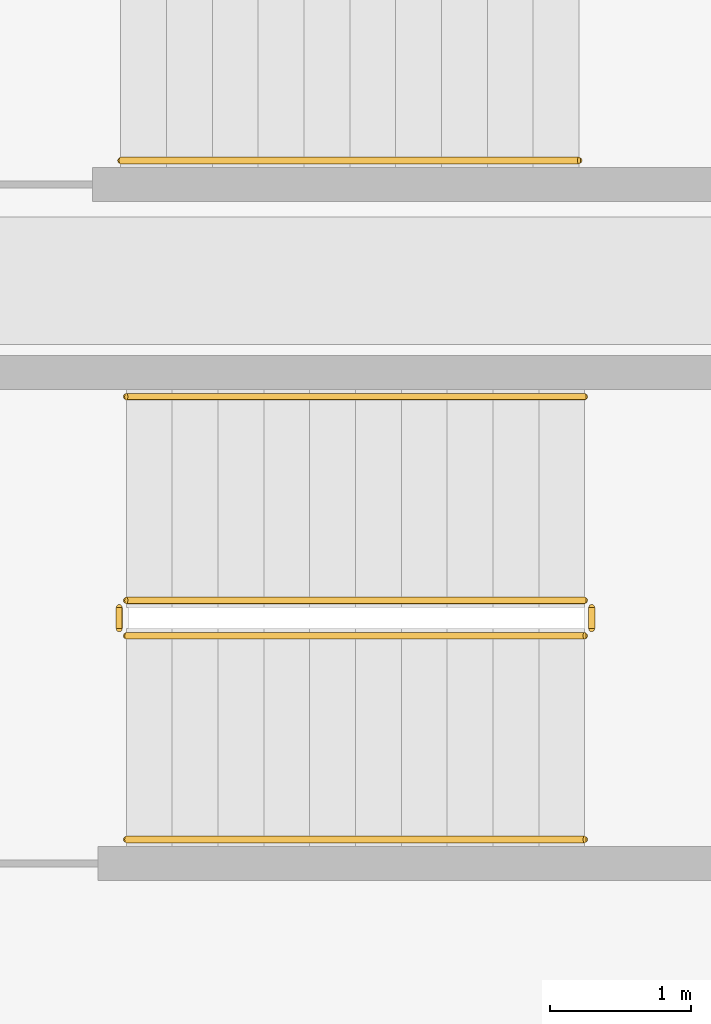
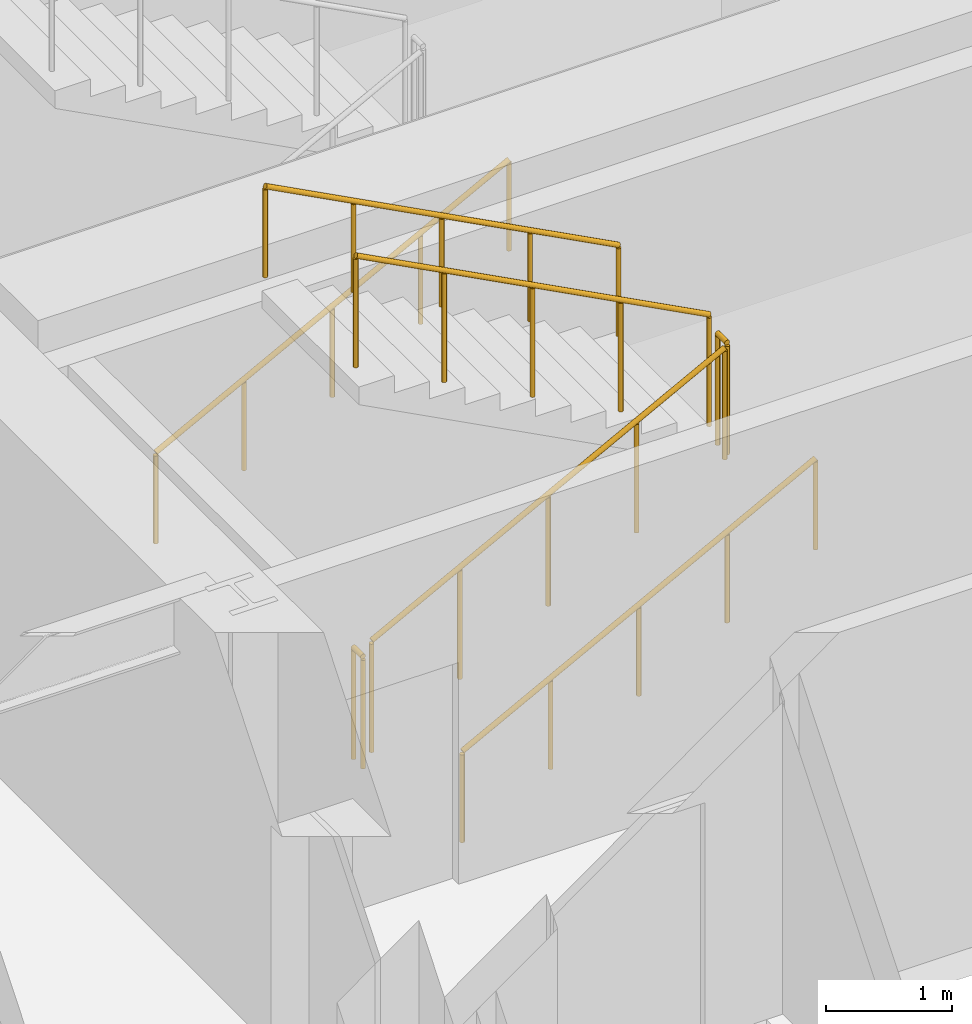
# One storey, part 12 of 15: 7 railings.
"""IFC4 building model written with IfcOpenShell, lengths in metres."""

from ifc_helpers import new_model, si_unit, direction, frame, origin, origin_2d, place, context, subcontext, project, spatial, circle, extrude, material, type_object, element, save


model = new_model("IFC4")

# Units and contexts
model_context = context("Model", 3, precision=1e-05, world=origin(), true_north=direction((0.0, 1.0)))
body_context = subcontext(model_context, "Body", "Model", "MODEL_VIEW")
ifc_project = project(units=[si_unit("LENGTHUNIT", "METRE"), si_unit("AREAUNIT", "SQUARE_METRE"), si_unit("VOLUMEUNIT", "CUBIC_METRE"), si_unit("PLANEANGLEUNIT", "RADIAN"), si_unit("MASSUNIT", "GRAM", prefix="KILO")], contexts=[model_context])

# Site, building, storey
site_placement = place(None, origin())
site = spatial("IfcSite", under=ifc_project, at=site_placement, CompositionType="ELEMENT")
building_placement = place(site_placement, origin())
building = spatial("IfcBuilding", under=site, at=building_placement, Name="Kolvaren Arena Tower", CompositionType="ELEMENT")
storey_placement = place(building_placement, frame((0.0, 0.0, 142.0)))
storey = spatial("IfcBuildingStorey", under=building, at=storey_placement, Name="L33", CompositionType="ELEMENT", Elevation=142.0)

# Railings
ifc_material_1 = material(Name="Painted galvanized steel", Category="steel")
railing_type_1 = type_object("IfcRailingType", Name="GUARD-ST-110", PredefinedType="GUARDRAIL", material=ifc_material_1)
railing_1_placement = place(storey_placement, frame((52.719970703125, 31.639892578125, 0.17041015625)))
element("IfcRailing", 1, at=railing_1_placement, inside=storey, type_object=railing_type_1, Name="L33 ST-E1 stair guard 1", PredefinedType="GUARDRAIL", context=body_context, shape_type="SweptSolid", body=[
    extrude(circle(Radius=0.02392578125, at=origin_2d()), frame((0.0, 0.0, 1.076171875), z_axis=(0.884993431791, 0.0, 0.465603506952), x_axis=(0.0, 1.0, 0.0)), (0.0, 0.0, 1.0), 3.6611328125),
    extrude(circle(Radius=0.02099609375, at=origin_2d()), origin(), (0.0, 0.0, 1.0), 1.052001953125),
    extrude(circle(Radius=0.02099609375, at=origin_2d()), frame((0.81005859375, 0.0, 0.42626953125)), (0.0, 0.0, 1.0), 1.052001953125),
    extrude(circle(Radius=0.02099609375, at=origin_2d()), frame((1.6201171875, 0.0, 0.852294921875)), (0.0, 0.0, 1.0), 1.052001953125),
    extrude(circle(Radius=0.02099609375, at=origin_2d()), frame((2.429931640625, 0.0, 1.2783203125)), (0.0, 0.0, 1.0), 1.052001953125),
    extrude(circle(Radius=0.02099609375, at=origin_2d()), frame((3.239990234375, 0.0, 1.70458984375)), (0.0, 0.0, 1.0), 1.052001953125),
])
railing_2_placement = place(storey_placement, frame((56.010009765625, 31.68994140625, 1.875)))
element("IfcRailing", 2, at=railing_2_placement, inside=storey, type_object=railing_type_1, Name="L33 ST-E1 stair guard 2", PredefinedType="GUARDRAIL", context=body_context, shape_type="SweptSolid", body=[
    extrude(circle(Radius=0.02392578125, at=origin_2d()), frame((0.0, 0.0, 1.076171875), z_axis=(0.0, 1.0, 0.0), x_axis=(-1.0, 0.0, 0.0)), (0.0, 0.0, 1.0), 0.150146484375),
    extrude(circle(Radius=0.02099609375, at=origin_2d()), origin(), (0.0, 0.0, 1.0), 1.052001953125),
    extrude(circle(Radius=0.02099609375, at=origin_2d()), frame((0.0, 0.150146484375, 0.0)), (0.0, 0.0, 1.0), 1.052001953125),
])
railing_3_placement = place(storey_placement, frame((55.9599609375, 31.889892578125, 2.04541015625)))
element("IfcRailing", 3, at=railing_3_placement, inside=storey, type_object=railing_type_1, Name="L33 ST-E1 stair guard 3", PredefinedType="GUARDRAIL", context=body_context, shape_type="SweptSolid", body=[
    extrude(circle(Radius=0.02392578125, at=origin_2d()), frame((0.0, 0.0, 1.076171875), z_axis=(-0.884993431791, 0.0, 0.465603506952), x_axis=(0.0, -1.0, 0.0)), (0.0, 0.0, 1.0), 3.6611328125),
    extrude(circle(Radius=0.02099609375, at=origin_2d()), origin(), (0.0, 0.0, 1.0), 1.052001953125),
    extrude(circle(Radius=0.02099609375, at=origin_2d()), frame((-0.81005859375, 0.0, 0.42626953125)), (0.0, 0.0, 1.0), 1.052001953125),
    extrude(circle(Radius=0.02099609375, at=origin_2d()), frame((-1.6201171875, 0.0, 0.852294921875)), (0.0, 0.0, 1.0), 1.052001953125),
    extrude(circle(Radius=0.02099609375, at=origin_2d()), frame((-2.429931640625, 0.0, 1.2783203125)), (0.0, 0.0, 1.0), 1.052001953125),
    extrude(circle(Radius=0.02099609375, at=origin_2d()), frame((-3.239990234375, 0.0, 1.70458984375)), (0.0, 0.0, 1.0), 1.052001953125),
])
railing_4_placement = place(storey_placement, frame((52.669921875, 31.68994140625, 0.0)))
element("IfcRailing", 4, at=railing_4_placement, inside=storey, type_object=railing_type_1, Name="L33 ST-E1 stair guard 4", PredefinedType="GUARDRAIL", context=body_context, shape_type="SweptSolid", body=[
    extrude(circle(Radius=0.02392578125, at=origin_2d()), frame((0.0, 0.0, 1.076171875), z_axis=(0.0, 1.0, 0.0), x_axis=(-1.0, 0.0, 0.0)), (0.0, 0.0, 1.0), 0.150146484375),
    extrude(circle(Radius=0.02099609375, at=origin_2d()), origin(), (0.0, 0.0, 1.0), 1.052001953125),
    extrude(circle(Radius=0.02099609375, at=origin_2d()), frame((0.0, 0.150146484375, 0.0)), (0.0, 0.0, 1.0), 1.052001953125),
])
ifc_material_2 = material(Name="Brushed stainless steel handrail", Category="steel")
railing_type_2 = type_object("IfcRailingType", Name="HRAIL-900", PredefinedType="HANDRAIL", material=ifc_material_2)
railing_5_placement = place(storey_placement, frame((52.719970703125, 30.199951171875, 0.17041015625)))
element("IfcRailing", 5, at=railing_5_placement, inside=storey, type_object=railing_type_2, Name="L33 ST-E1 stair handrail 1", PredefinedType="HANDRAIL", context=body_context, shape_type="SweptSolid", body=[
    extrude(circle(Radius=0.02392578125, at=origin_2d()), frame((0.0, 0.0, 0.8759765625), z_axis=(0.884993431791, 0.0, 0.465603506952), x_axis=(0.0, 1.0, 0.0)), (0.0, 0.0, 1.0), 3.6611328125),
    extrude(circle(Radius=0.02099609375, at=origin_2d()), origin(), (0.0, 0.0, 1.0), 0.851806640625),
    extrude(circle(Radius=0.02099609375, at=origin_2d()), frame((0.81005859375, 0.0, 0.42626953125)), (0.0, 0.0, 1.0), 0.851806640625),
    extrude(circle(Radius=0.02099609375, at=origin_2d()), frame((1.6201171875, 0.0, 0.852294921875)), (0.0, 0.0, 1.0), 0.851806640625),
    extrude(circle(Radius=0.02099609375, at=origin_2d()), frame((2.429931640625, 0.0, 1.2783203125)), (0.0, 0.0, 1.0), 0.851806640625),
    extrude(circle(Radius=0.02099609375, at=origin_2d()), frame((3.239990234375, 0.0, 1.70458984375)), (0.0, 0.0, 1.0), 0.851806640625),
])
railing_6_placement = place(storey_placement, frame((55.9599609375, 33.330078125, 2.04541015625)))
element("IfcRailing", 6, at=railing_6_placement, inside=storey, type_object=railing_type_2, Name="L33 ST-E1 stair handrail 2", PredefinedType="HANDRAIL", context=body_context, shape_type="SweptSolid", body=[
    extrude(circle(Radius=0.02392578125, at=origin_2d()), frame((0.0, 0.0, 0.8759765625), z_axis=(-0.884993431791, 0.0, 0.465603506952), x_axis=(0.0, -1.0, 0.0)), (0.0, 0.0, 1.0), 3.6611328125),
    extrude(circle(Radius=0.02099609375, at=origin_2d()), origin(), (0.0, 0.0, 1.0), 0.851806640625),
    extrude(circle(Radius=0.02099609375, at=origin_2d()), frame((-0.81005859375, 0.0, 0.42626953125)), (0.0, 0.0, 1.0), 0.851806640625),
    extrude(circle(Radius=0.02099609375, at=origin_2d()), frame((-1.6201171875, 0.0, 0.852294921875)), (0.0, 0.0, 1.0), 0.851806640625),
    extrude(circle(Radius=0.02099609375, at=origin_2d()), frame((-2.429931640625, 0.0, 1.2783203125)), (0.0, 0.0, 1.0), 0.851806640625),
    extrude(circle(Radius=0.02099609375, at=origin_2d()), frame((-3.239990234375, 0.0, 1.70458984375)), (0.0, 0.0, 1.0), 0.851806640625),
])
railing_7_placement = place(storey_placement, frame((52.679931640625, 35.0, 0.17041015625)))
element("IfcRailing", 7, at=railing_7_placement, inside=storey, type_object=railing_type_2, Name="L33 ST-E2 stair handrail 1", PredefinedType="HANDRAIL", context=body_context, shape_type="SweptSolid", body=[
    extrude(circle(Radius=0.02392578125, at=origin_2d()), frame((0.0, 0.0, 0.8759765625), z_axis=(0.884993431791, 0.0, 0.465603506952), x_axis=(0.0, 1.0, 0.0)), (0.0, 0.0, 1.0), 3.6611328125),
    extrude(circle(Radius=0.02099609375, at=origin_2d()), origin(), (0.0, 0.0, 1.0), 0.851806640625),
    extrude(circle(Radius=0.02099609375, at=origin_2d()), frame((0.81005859375, 0.0, 0.42626953125)), (0.0, 0.0, 1.0), 0.851806640625),
    extrude(circle(Radius=0.02099609375, at=origin_2d()), frame((1.6201171875, 0.0, 0.852294921875)), (0.0, 0.0, 1.0), 0.851806640625),
    extrude(circle(Radius=0.02099609375, at=origin_2d()), frame((2.429931640625, 0.0, 1.2783203125)), (0.0, 0.0, 1.0), 0.851806640625),
    extrude(circle(Radius=0.02099609375, at=origin_2d()), frame((3.239990234375, 0.0, 1.70458984375)), (0.0, 0.0, 1.0), 0.851806640625),
])

save(model, "model.ifc")
